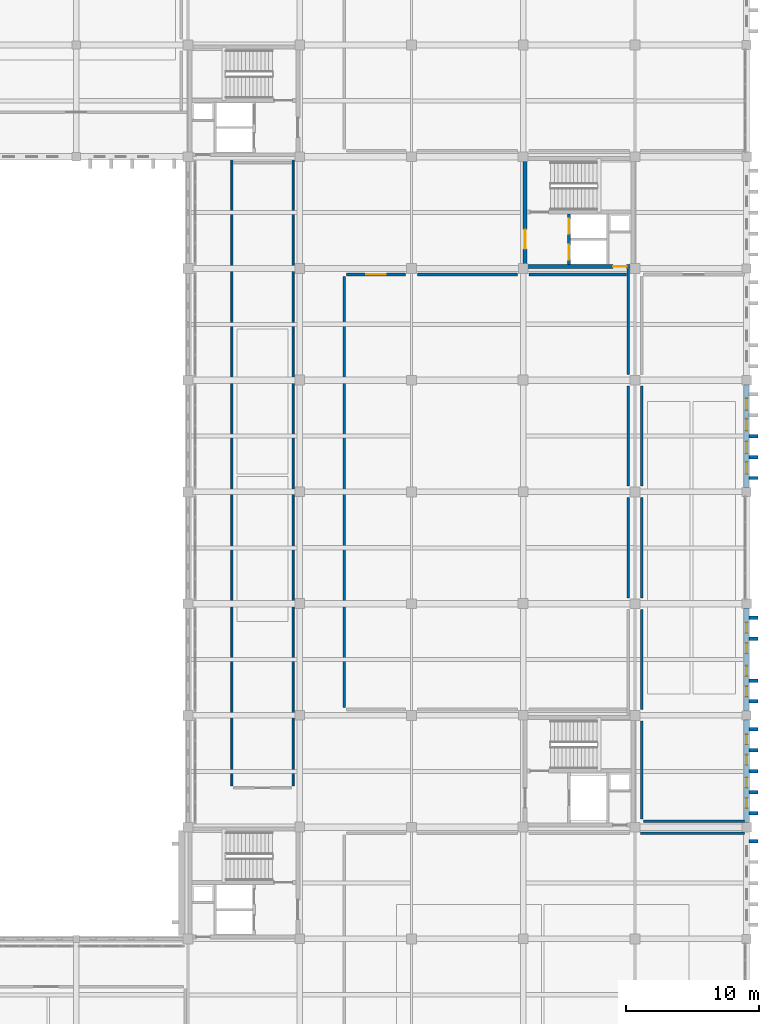
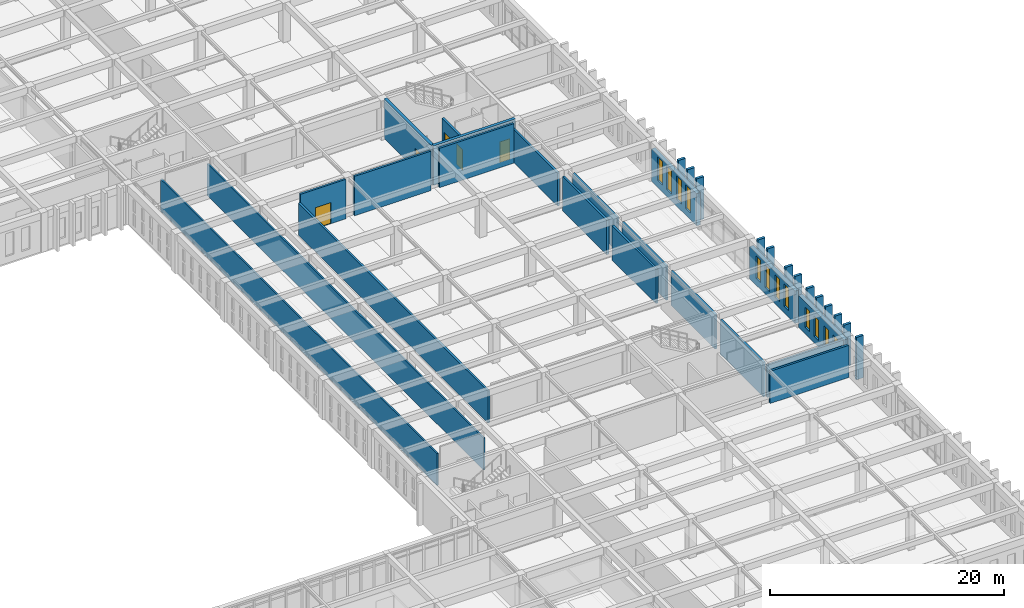
# One storey, part 177 of 192: 34 walls, 12 windows, 5 doors, 17 openings.
"""IFC4 building model written with IfcOpenShell, lengths in metres."""

from ifc_helpers import new_model, si_unit, direction, frame, frame_2d, origin, place, context, subcontext, project, spatial, rectangle, extrude, material, layer, layer_set, type_object, element, fill, save


model = new_model("IFC4")

# Units and contexts
model_context = context("Model", 3, precision=1e-05, world=origin(), true_north=direction((0.0, 1.0)))
body_context = subcontext(model_context, "Body", "Model", "MODEL_VIEW")
ifc_project = project(units=[si_unit("LENGTHUNIT", "METRE"), si_unit("AREAUNIT", "SQUARE_METRE"), si_unit("VOLUMEUNIT", "CUBIC_METRE"), si_unit("PLANEANGLEUNIT", "RADIAN"), si_unit("MASSUNIT", "GRAM", prefix="KILO")], contexts=[model_context])

# Site, building, storey
site_placement = place(None, origin())
site = spatial("IfcSite", under=ifc_project, at=site_placement, CompositionType="ELEMENT")
building_placement = place(site_placement, origin())
building = spatial("IfcBuilding", under=site, at=building_placement, Name="Kveldsbrygga Polytechnic", CompositionType="ELEMENT")
storey_placement = place(building_placement, frame((0.0, 0.0, 5.43994140625)))
storey = spatial("IfcBuildingStorey", under=building, at=storey_placement, Name="L01", CompositionType="ELEMENT", Elevation=5.43994140625)

# Wall, openings, windows
ifc_material_1 = material(Name="Fired clay brick masonry M10", Category="masonry")
ifc_layer_1 = layer(ifc_material_1, 0.3798828125)
ifc_layer_set_1 = layer_set([ifc_layer_1], Name="Fired clay brick masonry M10")
wall_type_1 = type_object("IfcWallType", Name="EW-BRICK-380", PredefinedType="SOLIDWALL", material=ifc_layer_set_1)
wall_1_placement = place(storey_placement, frame((168.0, 42.324951171875, 0.0), z_axis=(0.0, 0.0, 1.0), x_axis=(0.0, 1.0, 0.0)))
wall_1 = element("IfcWall", 1, at=wall_1_placement, inside=storey, type_object=wall_type_1, Name="Exterior Brick Wall EW-L01-Y-20-05", PredefinedType="SOLIDWALL", context=body_context, shape_type="SweptSolid", body=[
    extrude(rectangle(XDim=7.739990234375, YDim=0.3798828125, at=frame_2d((3.8701171875, 0.0))), origin(), (0.0, 0.0, 1.0), 3.3701171875),
])
opening_1_placement = place(wall_1_placement, frame((1.08056640625, 0.0, 0.699951171875)))
opening_1 = element("IfcOpeningElement", 2, at=opening_1_placement, cuts=wall_1, Name="Opening W-08", PredefinedType="OPENING", context=body_context, shape_type="SweptSolid", body=[
    extrude(rectangle(XDim=0.780029296875, YDim=2.35009765625, at=frame_2d((0.39013671875, 1.175048828125))), frame((0.0, 0.199951171875, 0.0), z_axis=(0.0, -1.0, 0.0), x_axis=(1.0, 0.0, 0.0)), (0.0, 0.0, 1.0), 0.39990234375),
])
opening_2_placement = place(wall_1_placement, frame((2.628662109375, 0.0, 0.699951171875)))
opening_2 = element("IfcOpeningElement", 3, at=opening_2_placement, cuts=wall_1, Name="Opening W-08", PredefinedType="OPENING", context=body_context, shape_type="SweptSolid", body=[
    extrude(rectangle(XDim=0.780029296875, YDim=2.35009765625, at=frame_2d((0.39013671875, 1.175048828125))), frame((0.0, 0.199951171875, 0.0), z_axis=(0.0, -1.0, 0.0), x_axis=(1.0, 0.0, 0.0)), (0.0, 0.0, 1.0), 0.39990234375),
])
opening_3_placement = place(wall_1_placement, frame((4.331298828125, 0.0, 0.699951171875)))
opening_3 = element("IfcOpeningElement", 4, at=opening_3_placement, cuts=wall_1, Name="Opening W-08", PredefinedType="OPENING", context=body_context, shape_type="SweptSolid", body=[
    extrude(rectangle(XDim=0.780029296875, YDim=2.35009765625, at=frame_2d((0.39013671875, 1.175048828125))), frame((0.0, 0.199951171875, 0.0), z_axis=(0.0, -1.0, 0.0), x_axis=(1.0, 0.0, 0.0)), (0.0, 0.0, 1.0), 0.39990234375),
])
opening_4_placement = place(wall_1_placement, frame((5.87939453125, 0.0, 0.699951171875)))
opening_4 = element("IfcOpeningElement", 5, at=opening_4_placement, cuts=wall_1, Name="Opening W-08", PredefinedType="OPENING", context=body_context, shape_type="SweptSolid", body=[
    extrude(rectangle(XDim=0.780029296875, YDim=2.35009765625, at=frame_2d((0.39013671875, 1.175048828125))), frame((0.0, 0.199951171875, 0.0), z_axis=(0.0, -1.0, 0.0), x_axis=(1.0, 0.0, 0.0)), (0.0, 0.0, 1.0), 0.39990234375),
])
ifc_material_2 = material(Name="Insulated triple low-E glass", Category="glass")
window_type_1 = type_object("IfcWindowType", Name="WN-LANC-078x235", PartitioningType="DOUBLE_PANEL_VERTICAL", PredefinedType="WINDOW", material=ifc_material_2)
window_1_placement = place(opening_1_placement, origin())
window_1 = element("IfcWindow", 6, at=window_1_placement, inside=storey, type_object=window_type_1, Name="Gothic Lancet Window WIN-L01-Y-20-05-1", OverallHeight=2.35009765625, OverallWidth=0.780029296875, PartitioningType="DOUBLE_PANEL_VERTICAL", PredefinedType="WINDOW", context=body_context, shape_type="SweptSolid", body=[
    extrude(rectangle(XDim=0.780029296875, YDim=2.35009765625, at=frame_2d((0.39013671875, 1.175048828125))), frame((0.0, 0.030029296875, 0.0), z_axis=(0.0, -1.0, 0.0), x_axis=(1.0, 0.0, 0.0)), (0.0, 0.0, 1.0), 0.06005859375),
])
fill(opening_1, window_1)
window_2_placement = place(opening_2_placement, origin())
window_2 = element("IfcWindow", 7, at=window_2_placement, inside=storey, type_object=window_type_1, Name="Gothic Lancet Window WIN-L01-Y-20-05-2", OverallHeight=2.35009765625, OverallWidth=0.780029296875, PartitioningType="DOUBLE_PANEL_VERTICAL", PredefinedType="WINDOW", context=body_context, shape_type="SweptSolid", body=[
    extrude(rectangle(XDim=0.780029296875, YDim=2.35009765625, at=frame_2d((0.39013671875, 1.175048828125))), frame((0.0, 0.030029296875, 0.0), z_axis=(0.0, -1.0, 0.0), x_axis=(1.0, 0.0, 0.0)), (0.0, 0.0, 1.0), 0.06005859375),
])
fill(opening_2, window_2)
window_3_placement = place(opening_3_placement, origin())
window_3 = element("IfcWindow", 8, at=window_3_placement, inside=storey, type_object=window_type_1, Name="Gothic Lancet Window WIN-L01-Y-20-05-3", OverallHeight=2.35009765625, OverallWidth=0.780029296875, PartitioningType="DOUBLE_PANEL_VERTICAL", PredefinedType="WINDOW", context=body_context, shape_type="SweptSolid", body=[
    extrude(rectangle(XDim=0.780029296875, YDim=2.35009765625, at=frame_2d((0.39013671875, 1.175048828125))), frame((0.0, 0.030029296875, 0.0), z_axis=(0.0, -1.0, 0.0), x_axis=(1.0, 0.0, 0.0)), (0.0, 0.0, 1.0), 0.06005859375),
])
fill(opening_3, window_3)
window_4_placement = place(opening_4_placement, origin())
window_4 = element("IfcWindow", 9, at=window_4_placement, inside=storey, type_object=window_type_1, Name="Gothic Lancet Window WIN-L01-Y-20-05-4", OverallHeight=2.35009765625, OverallWidth=0.780029296875, PartitioningType="DOUBLE_PANEL_VERTICAL", PredefinedType="WINDOW", context=body_context, shape_type="SweptSolid", body=[
    extrude(rectangle(XDim=0.780029296875, YDim=2.35009765625, at=frame_2d((0.39013671875, 1.175048828125))), frame((0.0, 0.030029296875, 0.0), z_axis=(0.0, -1.0, 0.0), x_axis=(1.0, 0.0, 0.0)), (0.0, 0.0, 1.0), 0.06005859375),
])
fill(opening_4, window_4)

wall_2_placement = place(storey_placement, frame((168.0, 59.125, 0.0), z_axis=(0.0, 0.0, 1.0), x_axis=(0.0, 1.0, 0.0)))
wall_2 = element("IfcWall", 10, at=wall_2_placement, inside=storey, type_object=wall_type_1, Name="Exterior Brick Wall EW-L01-Y-20-07", PredefinedType="SOLIDWALL", context=body_context, shape_type="SweptSolid", body=[
    extrude(rectangle(XDim=7.739990234375, YDim=0.3798828125, at=frame_2d((3.8701171875, 0.0))), origin(), (0.0, 0.0, 1.0), 3.3701171875),
])
opening_5_placement = place(wall_2_placement, frame((1.030517578125, 0.0, 0.699951171875)))
opening_5 = element("IfcOpeningElement", 11, at=opening_5_placement, cuts=wall_2, Name="Opening W-18", PredefinedType="OPENING", context=body_context, shape_type="SweptSolid", body=[
    extrude(rectangle(XDim=0.8798828125, YDim=2.449951171875, at=frame_2d((0.43994140625, 1.22509765625))), frame((0.0, 0.199951171875, 0.0), z_axis=(0.0, -1.0, 0.0), x_axis=(1.0, 0.0, 0.0)), (0.0, 0.0, 1.0), 0.39990234375),
])
opening_6_placement = place(wall_2_placement, frame((2.57861328125, 0.0, 0.699951171875)))
opening_6 = element("IfcOpeningElement", 12, at=opening_6_placement, cuts=wall_2, Name="Opening W-18", PredefinedType="OPENING", context=body_context, shape_type="SweptSolid", body=[
    extrude(rectangle(XDim=0.8798828125, YDim=2.449951171875, at=frame_2d((0.43994140625, 1.22509765625))), frame((0.0, 0.199951171875, 0.0), z_axis=(0.0, -1.0, 0.0), x_axis=(1.0, 0.0, 0.0)), (0.0, 0.0, 1.0), 0.39990234375),
])
opening_7_placement = place(wall_2_placement, frame((4.281494140625, 0.0, 0.699951171875)))
opening_7 = element("IfcOpeningElement", 13, at=opening_7_placement, cuts=wall_2, Name="Opening W-18", PredefinedType="OPENING", context=body_context, shape_type="SweptSolid", body=[
    extrude(rectangle(XDim=0.8798828125, YDim=2.449951171875, at=frame_2d((0.43994140625, 1.22509765625))), frame((0.0, 0.199951171875, 0.0), z_axis=(0.0, -1.0, 0.0), x_axis=(1.0, 0.0, 0.0)), (0.0, 0.0, 1.0), 0.39990234375),
])
opening_8_placement = place(wall_2_placement, frame((5.829345703125, 0.0, 0.699951171875)))
opening_8 = element("IfcOpeningElement", 14, at=opening_8_placement, cuts=wall_2, Name="Opening W-18", PredefinedType="OPENING", context=body_context, shape_type="SweptSolid", body=[
    extrude(rectangle(XDim=0.8798828125, YDim=2.449951171875, at=frame_2d((0.43994140625, 1.22509765625))), frame((0.0, 0.199951171875, 0.0), z_axis=(0.0, -1.0, 0.0), x_axis=(1.0, 0.0, 0.0)), (0.0, 0.0, 1.0), 0.39990234375),
])
window_type_2 = type_object("IfcWindowType", Name="WN-LANC-088x245", PartitioningType="DOUBLE_PANEL_VERTICAL", PredefinedType="WINDOW", material=ifc_material_2)
window_5_placement = place(opening_5_placement, origin())
window_5 = element("IfcWindow", 15, at=window_5_placement, inside=storey, type_object=window_type_2, Name="Gothic Lancet Window WIN-L01-Y-20-07-1", OverallHeight=2.449951171875, OverallWidth=0.8798828125, PartitioningType="DOUBLE_PANEL_VERTICAL", PredefinedType="WINDOW", context=body_context, shape_type="SweptSolid", body=[
    extrude(rectangle(XDim=0.8798828125, YDim=2.449951171875, at=frame_2d((0.43994140625, 1.22509765625))), frame((0.0, 0.030029296875, 0.0), z_axis=(0.0, -1.0, 0.0), x_axis=(1.0, 0.0, 0.0)), (0.0, 0.0, 1.0), 0.06005859375),
])
fill(opening_5, window_5)
window_6_placement = place(opening_6_placement, origin())
window_6 = element("IfcWindow", 16, at=window_6_placement, inside=storey, type_object=window_type_2, Name="Gothic Lancet Window WIN-L01-Y-20-07-2", OverallHeight=2.449951171875, OverallWidth=0.8798828125, PartitioningType="DOUBLE_PANEL_VERTICAL", PredefinedType="WINDOW", context=body_context, shape_type="SweptSolid", body=[
    extrude(rectangle(XDim=0.8798828125, YDim=2.449951171875, at=frame_2d((0.43994140625, 1.22509765625))), frame((0.0, 0.030029296875, 0.0), z_axis=(0.0, -1.0, 0.0), x_axis=(1.0, 0.0, 0.0)), (0.0, 0.0, 1.0), 0.06005859375),
])
fill(opening_6, window_6)
window_7_placement = place(opening_7_placement, origin())
window_7 = element("IfcWindow", 17, at=window_7_placement, inside=storey, type_object=window_type_2, Name="Gothic Lancet Window WIN-L01-Y-20-07-3", OverallHeight=2.449951171875, OverallWidth=0.8798828125, PartitioningType="DOUBLE_PANEL_VERTICAL", PredefinedType="WINDOW", context=body_context, shape_type="SweptSolid", body=[
    extrude(rectangle(XDim=0.8798828125, YDim=2.449951171875, at=frame_2d((0.43994140625, 1.22509765625))), frame((0.0, 0.030029296875, 0.0), z_axis=(0.0, -1.0, 0.0), x_axis=(1.0, 0.0, 0.0)), (0.0, 0.0, 1.0), 0.06005859375),
])
fill(opening_7, window_7)
window_8_placement = place(opening_8_placement, origin())
window_8 = element("IfcWindow", 18, at=window_8_placement, inside=storey, type_object=window_type_2, Name="Gothic Lancet Window WIN-L01-Y-20-07-4", OverallHeight=2.449951171875, OverallWidth=0.8798828125, PartitioningType="DOUBLE_PANEL_VERTICAL", PredefinedType="WINDOW", context=body_context, shape_type="SweptSolid", body=[
    extrude(rectangle(XDim=0.8798828125, YDim=2.449951171875, at=frame_2d((0.43994140625, 1.22509765625))), frame((0.0, 0.030029296875, 0.0), z_axis=(0.0, -1.0, 0.0), x_axis=(1.0, 0.0, 0.0)), (0.0, 0.0, 1.0), 0.06005859375),
])
fill(opening_8, window_8)

ifc_layer_2 = layer(ifc_material_1, 0.39990234375)
ifc_layer_set_2 = layer_set([ifc_layer_2], Name="Fired clay brick masonry M10")
wall_type_2 = type_object("IfcWallType", Name="EW-BRICK-400", PredefinedType="SOLIDWALL", material=ifc_layer_set_2)
wall_3_placement = place(storey_placement, frame((168.0, 33.93505859375, 0.0), z_axis=(0.0, 0.0, 1.0), x_axis=(0.0, 1.0, 0.0)))
wall_3 = element("IfcWall", 19, at=wall_3_placement, inside=storey, type_object=wall_type_2, Name="Exterior Brick Wall EW-L01-Y-20-04", PredefinedType="SOLIDWALL", context=body_context, shape_type="SweptSolid", body=[
    extrude(rectangle(XDim=7.739990234375, YDim=0.39990234375, at=frame_2d((3.8701171875, 0.0))), origin(), (0.0, 0.0, 1.0), 3.3701171875),
])
opening_9_placement = place(wall_3_placement, frame((1.095703125, 0.0, 0.699951171875)))
opening_9 = element("IfcOpeningElement", 20, at=opening_9_placement, cuts=wall_3, Name="Opening W-27", PredefinedType="OPENING", context=body_context, shape_type="SweptSolid", body=[
    extrude(rectangle(XDim=0.75, YDim=2.10009765625, at=frame_2d((0.375, 1.050048828125))), frame((0.0, 0.2099609375, 0.0), z_axis=(0.0, -1.0, 0.0), x_axis=(1.0, 0.0, 0.0)), (0.0, 0.0, 1.0), 0.419921875),
])
opening_10_placement = place(wall_3_placement, frame((2.6435546875, 0.0, 0.699951171875)))
opening_10 = element("IfcOpeningElement", 21, at=opening_10_placement, cuts=wall_3, Name="Opening W-27", PredefinedType="OPENING", context=body_context, shape_type="SweptSolid", body=[
    extrude(rectangle(XDim=0.75, YDim=2.10009765625, at=frame_2d((0.375, 1.050048828125))), frame((0.0, 0.2099609375, 0.0), z_axis=(0.0, -1.0, 0.0), x_axis=(1.0, 0.0, 0.0)), (0.0, 0.0, 1.0), 0.419921875),
])
opening_11_placement = place(wall_3_placement, frame((4.346435546875, 0.0, 0.699951171875)))
opening_11 = element("IfcOpeningElement", 22, at=opening_11_placement, cuts=wall_3, Name="Opening W-27", PredefinedType="OPENING", context=body_context, shape_type="SweptSolid", body=[
    extrude(rectangle(XDim=0.75, YDim=2.10009765625, at=frame_2d((0.375, 1.050048828125))), frame((0.0, 0.2099609375, 0.0), z_axis=(0.0, -1.0, 0.0), x_axis=(1.0, 0.0, 0.0)), (0.0, 0.0, 1.0), 0.419921875),
])
opening_12_placement = place(wall_3_placement, frame((5.894287109375, 0.0, 0.699951171875)))
opening_12 = element("IfcOpeningElement", 23, at=opening_12_placement, cuts=wall_3, Name="Opening W-27", PredefinedType="OPENING", context=body_context, shape_type="SweptSolid", body=[
    extrude(rectangle(XDim=0.75, YDim=2.10009765625, at=frame_2d((0.375, 1.050048828125))), frame((0.0, 0.2099609375, 0.0), z_axis=(0.0, -1.0, 0.0), x_axis=(1.0, 0.0, 0.0)), (0.0, 0.0, 1.0), 0.419921875),
])
window_type_3 = type_object("IfcWindowType", Name="WN-ATTIC-075x210", PartitioningType="DOUBLE_PANEL_VERTICAL", PredefinedType="WINDOW", material=ifc_material_2)
window_9_placement = place(opening_9_placement, origin())
window_9 = element("IfcWindow", 24, at=window_9_placement, inside=storey, type_object=window_type_3, Name="Gothic Lancet Window WIN-L01-Y-20-04-1", OverallHeight=2.10009765625, OverallWidth=0.75, PartitioningType="DOUBLE_PANEL_VERTICAL", PredefinedType="WINDOW", context=body_context, shape_type="SweptSolid", body=[
    extrude(rectangle(XDim=0.75, YDim=2.10009765625, at=frame_2d((0.375, 1.050048828125))), frame((0.0, 0.030029296875, 0.0), z_axis=(0.0, -1.0, 0.0), x_axis=(1.0, 0.0, 0.0)), (0.0, 0.0, 1.0), 0.06005859375),
])
fill(opening_9, window_9)
window_10_placement = place(opening_10_placement, origin())
window_10 = element("IfcWindow", 25, at=window_10_placement, inside=storey, type_object=window_type_3, Name="Gothic Lancet Window WIN-L01-Y-20-04-2", OverallHeight=2.10009765625, OverallWidth=0.75, PartitioningType="DOUBLE_PANEL_VERTICAL", PredefinedType="WINDOW", context=body_context, shape_type="SweptSolid", body=[
    extrude(rectangle(XDim=0.75, YDim=2.10009765625, at=frame_2d((0.375, 1.050048828125))), frame((0.0, 0.030029296875, 0.0), z_axis=(0.0, -1.0, 0.0), x_axis=(1.0, 0.0, 0.0)), (0.0, 0.0, 1.0), 0.06005859375),
])
fill(opening_10, window_10)
window_11_placement = place(opening_11_placement, origin())
window_11 = element("IfcWindow", 26, at=window_11_placement, inside=storey, type_object=window_type_3, Name="Gothic Lancet Window WIN-L01-Y-20-04-3", OverallHeight=2.10009765625, OverallWidth=0.75, PartitioningType="DOUBLE_PANEL_VERTICAL", PredefinedType="WINDOW", context=body_context, shape_type="SweptSolid", body=[
    extrude(rectangle(XDim=0.75, YDim=2.10009765625, at=frame_2d((0.375, 1.050048828125))), frame((0.0, 0.030029296875, 0.0), z_axis=(0.0, -1.0, 0.0), x_axis=(1.0, 0.0, 0.0)), (0.0, 0.0, 1.0), 0.06005859375),
])
fill(opening_11, window_11)
window_12_placement = place(opening_12_placement, origin())
window_12 = element("IfcWindow", 27, at=window_12_placement, inside=storey, type_object=window_type_3, Name="Gothic Lancet Window WIN-L01-Y-20-04-4", OverallHeight=2.10009765625, OverallWidth=0.75, PartitioningType="DOUBLE_PANEL_VERTICAL", PredefinedType="WINDOW", context=body_context, shape_type="SweptSolid", body=[
    extrude(rectangle(XDim=0.75, YDim=2.10009765625, at=frame_2d((0.375, 1.050048828125))), frame((0.0, 0.030029296875, 0.0), z_axis=(0.0, -1.0, 0.0), x_axis=(1.0, 0.0, 0.0)), (0.0, 0.0, 1.0), 0.06005859375),
])
fill(opening_12, window_12)

# Walls
ifc_layer_3 = layer(ifc_material_1, 0.260009765625)
ifc_layer_set_3 = layer_set([ifc_layer_3], Name="Fired clay brick masonry M10")
wall_type_3 = type_object("IfcWallType", Name="EW-BUTT-260", PredefinedType="SOLIDWALL", material=ifc_layer_set_3)
for number, where, z_axis, x_axis, name in (
    (28, (168.1650390625, 32.550048828125, 0.0), (0.0, 0.0, 1.0), (1.0, 0.0, 0.0), "Gothic Brick Buttress Pier BUTT-L01-Y-20-03-5"),
    (29, (168.1650390625, 34.64990234375, 0.0), (0.0, 0.0, 1.0), (1.0, 0.0, 0.0), "Gothic Brick Buttress Pier BUTT-L01-Y-20-04-1"),
    (30, (168.1650390625, 36.219970703125, 0.0), (0.0, 0.0, 1.0), (1.0, 0.0, 0.0), "Gothic Brick Buttress Pier BUTT-L01-Y-20-04-2"),
    (31, (168.1650390625, 37.800048828125, 0.0), (0.0, 0.0, 1.0), (1.0, 0.0, 0.0), "Gothic Brick Buttress Pier BUTT-L01-Y-20-04-3"),
    (32, (168.1650390625, 39.3798828125, 0.0), (0.0, 0.0, 1.0), (1.0, 0.0, 0.0), "Gothic Brick Buttress Pier BUTT-L01-Y-20-04-4"),
    (33, (168.1650390625, 40.949951171875, 0.0), (0.0, 0.0, 1.0), (1.0, 0.0, 0.0), "Gothic Brick Buttress Pier BUTT-L01-Y-20-04-5"),
    (34, (168.1650390625, 43.050048828125, 0.0), (0.0, 0.0, 1.0), (1.0, 0.0, 0.0), "Gothic Brick Buttress Pier BUTT-L01-Y-20-05-1"),
    (35, (168.1650390625, 44.6201171875, 0.0), (0.0, 0.0, 1.0), (1.0, 0.0, 0.0), "Gothic Brick Buttress Pier BUTT-L01-Y-20-05-2"),
    (36, (168.1650390625, 47.780029296875, 0.0), (0.0, 0.0, 1.0), (1.0, 0.0, 0.0), "Gothic Brick Buttress Pier BUTT-L01-Y-20-05-4"),
    (37, (168.1650390625, 49.35009765625, 0.0), (0.0, 0.0, 1.0), (1.0, 0.0, 0.0), "Gothic Brick Buttress Pier BUTT-L01-Y-20-05-5"),
    (38, (168.1650390625, 59.85009765625, 0.0), (0.0, 0.0, 1.0), (1.0, 0.0, 0.0), "Gothic Brick Buttress Pier BUTT-L01-Y-20-07-1"),
    (39, (168.1650390625, 61.419921875, 0.0), (0.0, 0.0, 1.0), (1.0, 0.0, 0.0), "Gothic Brick Buttress Pier BUTT-L01-Y-20-07-2"),
    (40, (168.1650390625, 63.0, 0.0), (0.0, 0.0, 1.0), (1.0, 0.0, 0.0), "Gothic Brick Buttress Pier BUTT-L01-Y-20-07-3"),
):
    element("IfcWall", number, at=place(storey_placement, frame(where, z_axis=z_axis, x_axis=x_axis)), inside=storey, type_object=wall_type_3, Name=name, PredefinedType="SOLIDWALL", context=body_context, shape_type="SweptSolid", body=[
        extrude(rectangle(XDim=0.699951171875, YDim=0.260009765625, at=frame_2d((0.35009765625, 0.0))), origin(), (0.0, 0.0, 1.0), 4.420166015625),
    ])
ifc_layer_4 = layer(ifc_material_1, 0.199951171875)
ifc_layer_set_4 = layer_set([ifc_layer_4], Name="Fired clay brick masonry M10")
wall_type_4 = type_object("IfcWallType", Name="IW-LAB-200", PredefinedType="PARTITIONING", material=ifc_layer_set_4)
wall_4_placement = place(storey_placement, frame((160.02001953125, 33.14990234375, 0.0), z_axis=(0.0, 0.0, 1.0), x_axis=(1.0, 0.0, 0.0)))
element("IfcWall", 41, at=wall_4_placement, inside=storey, type_object=wall_type_4, Name="Partition Wall IW-SP-L01-LAB11-N4", PredefinedType="PARTITIONING", context=body_context, shape_type="SweptSolid", body=[
    extrude(rectangle(XDim=7.800048828125, YDim=0.199951171875, at=frame_2d((3.89990234375, 0.0))), origin(), (0.0, 0.0, 1.0), 3.3701171875),
])

# Wall, opening, door
wall_5_placement = place(storey_placement, frame((137.89990234375, 75.14990234375, 0.0), z_axis=(0.0, 0.0, 1.0), x_axis=(1.0, 0.0, 0.0)))
wall_5 = element("IfcWall", 42, at=wall_5_placement, inside=storey, type_object=wall_type_4, Name="Partition Wall IW-SP-L01-LAB12A-N1", PredefinedType="PARTITIONING", context=body_context, shape_type="SweptSolid", body=[
    extrude(rectangle(XDim=4.465087890625, YDim=0.199951171875, at=frame_2d((2.232421875, 0.0))), origin(), (0.0, 0.0, 1.0), 4.1201171875),
])
opening_13_placement = place(wall_5_placement, frame((1.482421875, 0.0, 0.0)))
opening_13 = element("IfcOpeningElement", 43, at=opening_13_placement, cuts=wall_5, Name="Opening ID-L01-054", PredefinedType="OPENING", context=body_context, shape_type="SweptSolid", body=[
    extrude(rectangle(XDim=1.5, YDim=2.199951171875, at=frame_2d((0.75, 1.10009765625))), frame((0.0, 0.10986328125, 0.0), z_axis=(0.0, -1.0, 0.0), x_axis=(1.0, 0.0, 0.0)), (0.0, 0.0, 1.0), 0.219970703125),
])
ifc_material_3 = material(Name="Acoustic oak timber", Category="wood")
door_type_1 = type_object("IfcDoorType", Name="ID-LAB-150x220", OperationType="DOUBLE_DOOR_SINGLE_SWING", PredefinedType="DOOR", material=ifc_material_3)
door_1_placement = place(opening_13_placement, origin())
door_1 = element("IfcDoor", 44, at=door_1_placement, inside=storey, type_object=door_type_1, Name="Interior Door ID-L01-054", OperationType="DOUBLE_DOOR_SINGLE_SWING", OverallHeight=2.199951171875, OverallWidth=1.5, PredefinedType="DOOR", context=body_context, shape_type="SweptSolid", body=[
    extrude(rectangle(XDim=1.5, YDim=2.199951171875, at=frame_2d((0.75, 1.10009765625))), frame((0.0, 0.02490234375, 0.0), z_axis=(0.0, -1.0, 0.0), x_axis=(1.0, 0.0, 0.0)), (0.0, 0.0, 1.0), 0.050048828125),
])
fill(opening_13, door_1)

# Walls
wall_6_placement = place(storey_placement, frame((143.235107421875, 75.14990234375, 0.0), z_axis=(0.0, 0.0, 1.0), x_axis=(1.0, 0.0, 0.0)))
element("IfcWall", 45, at=wall_6_placement, inside=storey, type_object=wall_type_4, Name="Partition Wall IW-SP-L01-LAB12A-N2", PredefinedType="PARTITIONING", context=body_context, shape_type="SweptSolid", body=[
    extrude(rectangle(XDim=7.544921875, YDim=0.199951171875, at=frame_2d((3.7724609375, 0.0))), origin(), (0.0, 0.0, 1.0), 4.1201171875),
])
wall_7_placement = place(storey_placement, frame((151.6201171875, 75.14990234375, 0.0), z_axis=(0.0, 0.0, 1.0), x_axis=(1.0, 0.0, 0.0)))
element("IfcWall", 46, at=wall_7_placement, inside=storey, type_object=wall_type_4, Name="Partition Wall IW-SP-L01-LAB12A-N3", PredefinedType="PARTITIONING", context=body_context, shape_type="SweptSolid", body=[
    extrude(rectangle(XDim=7.329833984375, YDim=0.199951171875, at=frame_2d((3.6650390625, 0.0))), origin(), (0.0, 0.0, 1.0), 4.1201171875),
])
wall_8_placement = place(storey_placement, frame((137.75, 42.60009765625, 0.0), z_axis=(0.0, 0.0, 1.0), x_axis=(0.0, 1.0, 0.0)))
element("IfcWall", 47, at=wall_8_placement, inside=storey, type_object=wall_type_4, Name="Partition Wall IW-SP-L01-LAB12A-W1", PredefinedType="PARTITIONING", context=body_context, shape_type="SweptSolid", body=[
    extrude(rectangle(XDim=32.39990234375, YDim=0.199951171875, at=frame_2d((16.199951171875, 0.0))), origin(), (0.0, 0.0, 1.0), 3.340087890625),
])
wall_9_placement = place(storey_placement, frame((159.10009765625, 50.820068359375, 0.0), z_axis=(0.0, 0.0, 1.0), x_axis=(0.0, 1.0, 0.0)))
element("IfcWall", 48, at=wall_9_placement, inside=storey, type_object=wall_type_4, Name="Partition Wall IW-SP-L01-LAB12A-E2", PredefinedType="PARTITIONING", context=body_context, shape_type="SweptSolid", body=[
    extrude(rectangle(XDim=7.544921875, YDim=0.199951171875, at=frame_2d((3.7724609375, 0.0))), origin(), (0.0, 0.0, 1.0), 3.60009765625),
])
wall_10_placement = place(storey_placement, frame((159.10009765625, 59.235107421875, 0.0), z_axis=(0.0, 0.0, 1.0), x_axis=(0.0, 1.0, 0.0)))
element("IfcWall", 49, at=wall_10_placement, inside=storey, type_object=wall_type_4, Name="Partition Wall IW-SP-L01-LAB12A-E3", PredefinedType="PARTITIONING", context=body_context, shape_type="SweptSolid", body=[
    extrude(rectangle(XDim=7.544921875, YDim=0.199951171875, at=frame_2d((3.7724609375, 0.0))), origin(), (0.0, 0.0, 1.0), 3.6201171875),
])
wall_11_placement = place(storey_placement, frame((159.10009765625, 67.6201171875, 0.0), z_axis=(0.0, 0.0, 1.0), x_axis=(0.0, 1.0, 0.0)))
element("IfcWall", 50, at=wall_11_placement, inside=storey, type_object=wall_type_4, Name="Partition Wall IW-SP-L01-LAB12A-E4", PredefinedType="PARTITIONING", context=body_context, shape_type="SweptSolid", body=[
    extrude(rectangle(XDim=7.949951171875, YDim=0.199951171875, at=frame_2d((3.97509765625, 0.0))), origin(), (0.0, 0.0, 1.0), 3.43994140625),
])
wall_12_placement = place(storey_placement, frame((160.25, 34.050048828125, 0.0), z_axis=(0.0, 0.0, 1.0), x_axis=(1.0, 0.0, 0.0)))
element("IfcWall", 51, at=wall_12_placement, inside=storey, type_object=wall_type_4, Name="Partition Wall IW-SP-L01-LAB12-S1", PredefinedType="PARTITIONING", context=body_context, shape_type="SweptSolid", body=[
    extrude(rectangle(XDim=7.570068359375, YDim=0.199951171875, at=frame_2d((3.78515625, 0.0))), origin(), (0.0, 0.0, 1.0), 3.3701171875),
])
wall_13_placement = place(storey_placement, frame((160.10009765625, 34.199951171875, 0.0), z_axis=(0.0, 0.0, 1.0), x_axis=(0.0, 1.0, 0.0)))
element("IfcWall", 52, at=wall_13_placement, inside=storey, type_object=wall_type_4, Name="Partition Wall IW-SP-L01-LAB12-W1", PredefinedType="PARTITIONING", context=body_context, shape_type="SweptSolid", body=[
    extrude(rectangle(XDim=7.364990234375, YDim=0.199951171875, at=frame_2d((3.6826171875, 0.0))), origin(), (0.0, 0.0, 1.0), 3.6201171875),
])
wall_14_placement = place(storey_placement, frame((160.10009765625, 42.43505859375, 0.0), z_axis=(0.0, 0.0, 1.0), x_axis=(0.0, 1.0, 0.0)))
element("IfcWall", 53, at=wall_14_placement, inside=storey, type_object=wall_type_4, Name="Partition Wall IW-SP-L01-LAB12-W2", PredefinedType="PARTITIONING", context=body_context, shape_type="SweptSolid", body=[
    extrude(rectangle(XDim=7.544921875, YDim=0.199951171875, at=frame_2d((3.7724609375, 0.0))), origin(), (0.0, 0.0, 1.0), 3.60009765625),
])
wall_15_placement = place(storey_placement, frame((160.10009765625, 50.820068359375, 0.0), z_axis=(0.0, 0.0, 1.0), x_axis=(0.0, 1.0, 0.0)))
element("IfcWall", 54, at=wall_15_placement, inside=storey, type_object=wall_type_4, Name="Partition Wall IW-SP-L01-LAB12-W3", PredefinedType="PARTITIONING", context=body_context, shape_type="SweptSolid", body=[
    extrude(rectangle(XDim=7.544921875, YDim=0.199951171875, at=frame_2d((3.7724609375, 0.0))), origin(), (0.0, 0.0, 1.0), 3.6201171875),
])
wall_16_placement = place(storey_placement, frame((160.10009765625, 59.235107421875, 0.0), z_axis=(0.0, 0.0, 1.0), x_axis=(0.0, 1.0, 0.0)))
element("IfcWall", 55, at=wall_16_placement, inside=storey, type_object=wall_type_4, Name="Partition Wall IW-SP-L01-LAB12-W4", PredefinedType="PARTITIONING", context=body_context, shape_type="SweptSolid", body=[
    extrude(rectangle(XDim=7.544921875, YDim=0.199951171875, at=frame_2d((3.7724609375, 0.0))), origin(), (0.0, 0.0, 1.0), 3.60009765625),
])
ifc_material_4 = material(Name="Gypsum acoustic stud partition")
ifc_layer_5 = layer(ifc_material_4, 0.14990234375)
ifc_layer_set_5 = layer_set([ifc_layer_5], Name="Gypsum acoustic stud partition")
wall_type_5 = type_object("IfcWallType", Name="IW-SEM-150", PredefinedType="PARTITIONING", material=ifc_layer_set_5)
for number, where, z_axis, x_axis, name in (
    (56, (129.300048828125, 36.699951171875, 0.0), (0.0, 0.0, 1.0), (0.0, 1.0, 0.0), "Partition Wall IW-SP-L01-SEM13-W1"),
    (57, (133.89990234375, 36.699951171875, 0.0), (0.0, 0.0, 1.0), (0.0, 1.0, 0.0), "Partition Wall IW-SP-L01-SEM13-E1"),
):
    element("IfcWall", number, at=place(storey_placement, frame(where, z_axis=z_axis, x_axis=x_axis)), inside=storey, type_object=wall_type_5, Name=name, PredefinedType="PARTITIONING", context=body_context, shape_type="SweptSolid", body=[
        extrude(rectangle(XDim=47.27001953125, YDim=0.14990234375, at=frame_2d((23.635009765625, 0.0))), origin(), (0.0, 0.0, 1.0), 3.340087890625),
    ])

# Wall, opening, door
ifc_material_5 = material(Name="Concrete C45/55", Category="concrete")
ifc_layer_6 = layer(ifc_material_5, 0.300048828125)
ifc_layer_set_6 = layer_set([ifc_layer_6], Name="Concrete C45/55")
wall_type_6 = type_object("IfcWallType", Name="WL-CORE-300", PredefinedType="SHEAR", material=ifc_layer_set_6)
wall_17_placement = place(storey_placement, frame((151.35009765625, 75.75, 0.0), z_axis=(0.0, 0.0, 1.0), x_axis=(1.0, 0.0, 0.0)))
wall_17 = element("IfcWall", 58, at=wall_17_placement, inside=storey, type_object=wall_type_6, Name="Core C4 Shear Wall C4-L01-SW-S", PredefinedType="SHEAR", context=body_context, shape_type="SweptSolid", body=[
    extrude(rectangle(XDim=8.099853515625, YDim=0.300048828125, at=frame_2d((4.0498046875, 0.0))), origin(), (0.0, 0.0, 1.0), 4.1201171875),
])
opening_14_placement = place(wall_17_placement, frame((6.614990234375, 0.0, 0.0)))
opening_14 = element("IfcOpeningElement", 59, at=opening_14_placement, cuts=wall_17, Name="Opening ID-C4-L01-AWC", PredefinedType="OPENING", context=body_context, shape_type="SweptSolid", body=[
    extrude(rectangle(XDim=1.0, YDim=2.14990234375, at=frame_2d((0.5, 1.074951171875))), frame((0.0, 0.16015625, 0.0), z_axis=(0.0, -1.0, 0.0), x_axis=(1.0, 0.0, 0.0)), (0.0, 0.0, 1.0), 0.320068359375),
])
door_type_2 = type_object("IfcDoorType", Name="ID-AWC-100x215", OperationType="NOTDEFINED", PredefinedType="DOOR", material=ifc_material_3)
door_2_placement = place(opening_14_placement, origin())
door_2 = element("IfcDoor", 60, at=door_2_placement, inside=storey, type_object=door_type_2, Name="Accessible WC Door ID-C4-L01-AWC", OperationType="SINGLE_SWING_RIGHT", OverallHeight=2.14990234375, OverallWidth=1.0, PredefinedType="DOOR", context=body_context, shape_type="SweptSolid", body=[
    extrude(rectangle(XDim=1.0, YDim=2.14990234375, at=frame_2d((0.5, 1.074951171875))), frame((0.0, 0.02490234375, 0.0), z_axis=(0.0, -1.0, 0.0), x_axis=(1.0, 0.0, 0.0)), (0.0, 0.0, 1.0), 0.050048828125),
])
fill(opening_14, door_2)

wall_18_placement = place(storey_placement, frame((151.35009765625, 75.75, 0.0), z_axis=(0.0, 0.0, 1.0), x_axis=(0.0, 1.0, 0.0)))
wall_18 = element("IfcWall", 61, at=wall_18_placement, inside=storey, type_object=wall_type_6, Name="Core C4 Shear Wall C4-L01-SW-W", PredefinedType="SHEAR", context=body_context, shape_type="SweptSolid", body=[
    extrude(rectangle(XDim=8.10009765625, YDim=0.300048828125, at=frame_2d((4.050048828125, 0.0))), origin(), (0.0, 0.0, 1.0), 4.1201171875),
])
opening_15_placement = place(wall_18_placement, frame((1.324951171875, 0.0, 0.0)))
opening_15 = element("IfcOpeningElement", 62, at=opening_15_placement, cuts=wall_18, Name="Opening FD-C4-L01-LOB", PredefinedType="OPENING", context=body_context, shape_type="SweptSolid", body=[
    extrude(rectangle(XDim=1.449951171875, YDim=2.14990234375, at=frame_2d((0.72509765625, 1.074951171875))), frame((0.0, 0.16015625, 0.0), z_axis=(0.0, -1.0, 0.0), x_axis=(1.0, 0.0, 0.0)), (0.0, 0.0, 1.0), 0.320068359375),
])
ifc_material_6 = material(Name="Powder-coated galvanised steel", Category="steel")
door_type_3 = type_object("IfcDoorType", Name="ID-LOBBY-145x215", OperationType="DOUBLE_DOOR_SINGLE_SWING", PredefinedType="DOOR", material=ifc_material_6)
door_3_placement = place(opening_15_placement, origin())
door_3 = element("IfcDoor", 63, at=door_3_placement, inside=storey, type_object=door_type_3, Name="Core Lobby Fire Door FD-C4-L01-LOB", OperationType="DOUBLE_DOOR_SINGLE_SWING", OverallHeight=2.14990234375, OverallWidth=1.449951171875, PredefinedType="DOOR", context=body_context, shape_type="SweptSolid", body=[
    extrude(rectangle(XDim=1.449951171875, YDim=2.14990234375, at=frame_2d((0.72509765625, 1.074951171875))), frame((0.0, 0.02490234375, 0.0), z_axis=(0.0, -1.0, 0.0), x_axis=(1.0, 0.0, 0.0)), (0.0, 0.0, 1.0), 0.050048828125),
])
fill(opening_15, door_3)

# Wall, openings, doors
ifc_material_7 = material(Name="Concrete C35/45", Category="concrete")
ifc_layer_7 = layer(ifc_material_7, 0.199951171875)
ifc_layer_set_7 = layer_set([ifc_layer_7], Name="Concrete C35/45")
wall_type_7 = type_object("IfcWallType", Name="WL-SHFT-200", PredefinedType="SHEAR", material=ifc_layer_set_7)
wall_19_placement = place(storey_placement, frame((154.639892578125, 75.89990234375, 0.0), z_axis=(0.0, 0.0, 1.0), x_axis=(0.0, 1.0, 0.0)))
wall_19 = element("IfcWall", 64, at=wall_19_placement, inside=storey, type_object=wall_type_7, Name="Lift Front Wall C4-L01-W-LFR", PredefinedType="SHEAR", context=body_context, shape_type="SweptSolid", body=[
    extrude(rectangle(XDim=3.800048828125, YDim=0.199951171875, at=frame_2d((1.89990234375, 0.0))), origin(), (0.0, 0.0, 1.0), 3.43994140625),
])
opening_16_placement = place(wall_19_placement, frame((0.375, 0.0, 0.0)))
opening_16 = element("IfcOpeningElement", 65, at=opening_16_placement, cuts=wall_19, Name="Opening LD-FL-2", PredefinedType="OPENING", context=body_context, shape_type="SweptSolid", body=[
    extrude(rectangle(XDim=1.10009765625, YDim=2.14990234375, at=frame_2d((0.550048828125, 1.074951171875))), frame((0.0, 0.10986328125, 0.0), z_axis=(0.0, -1.0, 0.0), x_axis=(1.0, 0.0, 0.0)), (0.0, 0.0, 1.0), 0.219970703125),
])
opening_17_placement = place(wall_19_placement, frame((2.324951171875, 0.0, 0.0)))
opening_17 = element("IfcOpeningElement", 66, at=opening_17_placement, cuts=wall_19, Name="Opening LD-LP-4", PredefinedType="OPENING", context=body_context, shape_type="SweptSolid", body=[
    extrude(rectangle(XDim=1.10009765625, YDim=2.14990234375, at=frame_2d((0.550048828125, 1.074951171875))), frame((0.0, 0.10986328125, 0.0), z_axis=(0.0, -1.0, 0.0), x_axis=(1.0, 0.0, 0.0)), (0.0, 0.0, 1.0), 0.219970703125),
])
ifc_material_8 = material(Name="Brushed stainless steel EN 1.4401", Category="steel")
door_type_4 = type_object("IfcDoorType", Name="LD-PAX-110x215", OperationType="SLIDING_TO_LEFT", PredefinedType="DOOR", material=ifc_material_8)
door_4_placement = place(opening_16_placement, origin())
door_4 = element("IfcDoor", 67, at=door_4_placement, inside=storey, type_object=door_type_4, Name="Lift Landing Sliding Door LD-FL-2-L01", OperationType="SLIDING_TO_LEFT", OverallHeight=2.14990234375, OverallWidth=1.10009765625, PredefinedType="DOOR", context=body_context, shape_type="SweptSolid", body=[
    extrude(rectangle(XDim=1.10009765625, YDim=2.14990234375, at=frame_2d((0.550048828125, 1.074951171875))), frame((0.0, 0.02490234375, 0.0), z_axis=(0.0, -1.0, 0.0), x_axis=(1.0, 0.0, 0.0)), (0.0, 0.0, 1.0), 0.050048828125),
])
fill(opening_16, door_4)
door_5_placement = place(opening_17_placement, origin())
door_5 = element("IfcDoor", 68, at=door_5_placement, inside=storey, type_object=door_type_4, Name="Lift Landing Sliding Door LD-LP-4-L01", OperationType="SLIDING_TO_LEFT", OverallHeight=2.14990234375, OverallWidth=1.10009765625, PredefinedType="DOOR", context=body_context, shape_type="SweptSolid", body=[
    extrude(rectangle(XDim=1.10009765625, YDim=2.14990234375, at=frame_2d((0.550048828125, 1.074951171875))), frame((0.0, 0.02490234375, 0.0), z_axis=(0.0, -1.0, 0.0), x_axis=(1.0, 0.0, 0.0)), (0.0, 0.0, 1.0), 0.050048828125),
])
fill(opening_17, door_5)

save(model, "model.ifc")
